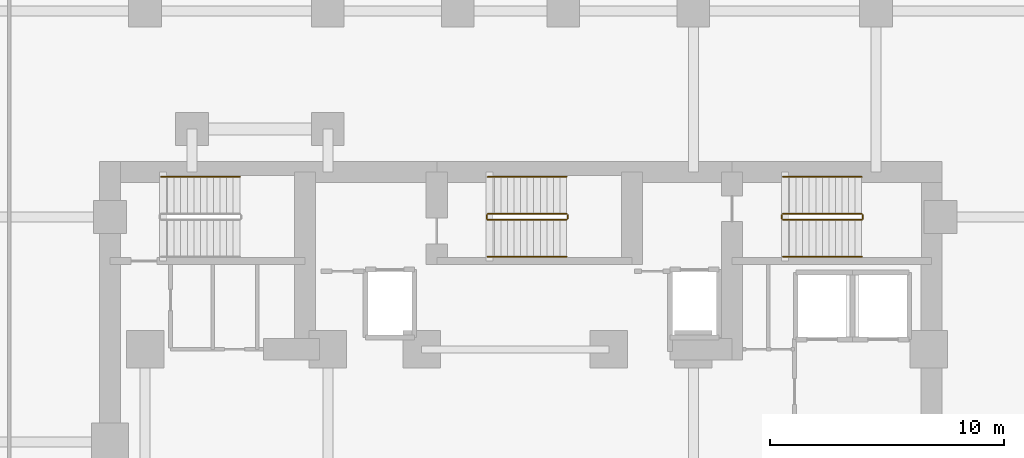
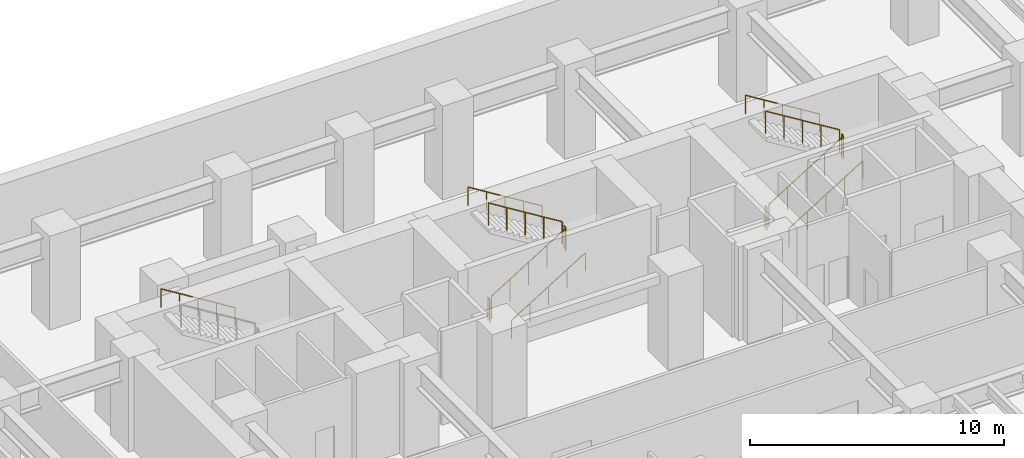
# One storey, part 9 of 9: 13 railings.
"""IFC4 building model written with IfcOpenShell, lengths in metres."""

from ifc_helpers import new_model, si_unit, direction, frame, origin, origin_2d, place, context, subcontext, project, spatial, circle, extrude, material, type_object, element, save


model = new_model("IFC4")

# Units and contexts
model_context = context("Model", 3, precision=1e-05, world=origin(), true_north=direction((0.0, 1.0)))
body_context = subcontext(model_context, "Body", "Model", "MODEL_VIEW")
ifc_project = project(units=[si_unit("LENGTHUNIT", "METRE"), si_unit("AREAUNIT", "SQUARE_METRE"), si_unit("VOLUMEUNIT", "CUBIC_METRE"), si_unit("PLANEANGLEUNIT", "RADIAN"), si_unit("MASSUNIT", "GRAM", prefix="KILO")], contexts=[model_context])

# Site, building, storey
site_placement = place(None, origin())
site = spatial("IfcSite", under=ifc_project, at=site_placement, CompositionType="ELEMENT")
building_placement = place(site_placement, origin())
building = spatial("IfcBuilding", under=site, at=building_placement, Name="Kestravale Grand Hotel", CompositionType="ELEMENT")
storey_placement = place(building_placement, frame((0.0, 0.0, -4.5)))
storey = spatial("IfcBuildingStorey", under=building, at=storey_placement, Name="B1", CompositionType="ELEMENT", Elevation=-4.5)

# Railings
ifc_material_1 = material(Name="Painted tubular steel stair well guard", Category="steel")
railing_type_1 = type_object("IfcRailingType", Name="RL-ST-GRD1100", PredefinedType="GUARDRAIL", material=ifc_material_1)
railing_1_placement = place(storey_placement, frame((38.030029296875, 38.280029296875, 0.173095703125)))
element("IfcRailing", 1, at=railing_1_placement, inside=storey, type_object=railing_type_1, Name="B1 ST-2 stair guard 1", PredefinedType="GUARDRAIL", context=body_context, shape_type="SweptSolid", body=[
    extrude(circle(Radius=0.02392578125, at=origin_2d()), frame((0.0, 0.0, 1.076171875), z_axis=(0.850606129759, 0.0, 0.525803396734), x_axis=(0.0, 1.0, 0.0)), (0.0, 0.0, 1.0), 3.949951171875),
    extrude(circle(Radius=0.02099609375, at=origin_2d()), origin(), (0.0, 0.0, 1.0), 1.052001953125),
    extrude(circle(Radius=0.02099609375, at=origin_2d()), frame((0.83984375, 0.0, 0.519287109375)), (0.0, 0.0, 1.0), 1.052001953125),
    extrude(circle(Radius=0.02099609375, at=origin_2d()), frame((1.679931640625, 0.0, 1.03857421875)), (0.0, 0.0, 1.0), 1.052001953125),
    extrude(circle(Radius=0.02099609375, at=origin_2d()), frame((2.52001953125, 0.0, 1.5576171875)), (0.0, 0.0, 1.0), 1.052001953125),
    extrude(circle(Radius=0.02099609375, at=origin_2d()), frame((3.35986328125, 0.0, 2.076904296875)), (0.0, 0.0, 1.0), 1.052001953125),
])
railing_2_placement = place(storey_placement, frame((41.43994140625, 38.330078125, 2.25)))
element("IfcRailing", 2, at=railing_2_placement, inside=storey, type_object=railing_type_1, Name="B1 ST-2 stair guard 2", PredefinedType="GUARDRAIL", context=body_context, shape_type="SweptSolid", body=[
    extrude(circle(Radius=0.02392578125, at=origin_2d()), frame((0.0, 0.0, 1.076171875), z_axis=(0.0, 1.0, 0.0), x_axis=(-1.0, 0.0, 0.0)), (0.0, 0.0, 1.0), 0.14990234375),
    extrude(circle(Radius=0.02099609375, at=origin_2d()), origin(), (0.0, 0.0, 1.0), 1.052001953125),
    extrude(circle(Radius=0.02099609375, at=origin_2d()), frame((0.0, 0.14990234375, 0.0)), (0.0, 0.0, 1.0), 1.052001953125),
])
railing_3_placement = place(storey_placement, frame((41.389892578125, 38.530029296875, 2.423095703125)))
element("IfcRailing", 3, at=railing_3_placement, inside=storey, type_object=railing_type_1, Name="B1 ST-2 stair guard 3", PredefinedType="GUARDRAIL", context=body_context, shape_type="SweptSolid", body=[
    extrude(circle(Radius=0.02392578125, at=origin_2d()), frame((0.0, 0.0, 1.076171875), z_axis=(-0.850606129759, 0.0, 0.525803396734), x_axis=(0.0, -1.0, 0.0)), (0.0, 0.0, 1.0), 3.949951171875),
    extrude(circle(Radius=0.02099609375, at=origin_2d()), origin(), (0.0, 0.0, 1.0), 1.052001953125),
    extrude(circle(Radius=0.02099609375, at=origin_2d()), frame((-0.83984375, 0.0, 0.519287109375)), (0.0, 0.0, 1.0), 1.052001953125),
    extrude(circle(Radius=0.02099609375, at=origin_2d()), frame((-1.679931640625, 0.0, 1.03857421875)), (0.0, 0.0, 1.0), 1.052001953125),
    extrude(circle(Radius=0.02099609375, at=origin_2d()), frame((-2.52001953125, 0.0, 1.5576171875)), (0.0, 0.0, 1.0), 1.052001953125),
    extrude(circle(Radius=0.02099609375, at=origin_2d()), frame((-3.35986328125, 0.0, 2.076904296875)), (0.0, 0.0, 1.0), 1.052001953125),
])
railing_4_placement = place(storey_placement, frame((37.97998046875, 38.330078125, 0.0)))
element("IfcRailing", 4, at=railing_4_placement, inside=storey, type_object=railing_type_1, Name="B1 ST-2 stair guard 4", PredefinedType="GUARDRAIL", context=body_context, shape_type="SweptSolid", body=[
    extrude(circle(Radius=0.02392578125, at=origin_2d()), frame((0.0, 0.0, 1.076171875), z_axis=(0.0, 1.0, 0.0), x_axis=(-1.0, 0.0, 0.0)), (0.0, 0.0, 1.0), 0.14990234375),
    extrude(circle(Radius=0.02099609375, at=origin_2d()), origin(), (0.0, 0.0, 1.0), 1.052001953125),
    extrude(circle(Radius=0.02099609375, at=origin_2d()), frame((0.0, 0.14990234375, 0.0)), (0.0, 0.0, 1.0), 1.052001953125),
])
railing_5_placement = place(storey_placement, frame((50.6298828125, 38.280029296875, 0.173095703125)))
element("IfcRailing", 5, at=railing_5_placement, inside=storey, type_object=railing_type_1, Name="B1 ST-3 stair guard 1", PredefinedType="GUARDRAIL", context=body_context, shape_type="SweptSolid", body=[
    extrude(circle(Radius=0.02392578125, at=origin_2d()), frame((0.0, 0.0, 1.076171875), z_axis=(0.850623216509, 0.0, 0.525775754039), x_axis=(0.0, 1.0, 0.0)), (0.0, 0.0, 1.0), 3.9501953125),
    extrude(circle(Radius=0.02099609375, at=origin_2d()), origin(), (0.0, 0.0, 1.0), 1.052001953125),
    extrude(circle(Radius=0.02099609375, at=origin_2d()), frame((0.840087890625, 0.0, 0.519287109375)), (0.0, 0.0, 1.0), 1.052001953125),
    extrude(circle(Radius=0.02099609375, at=origin_2d()), frame((1.68017578125, 0.0, 1.03857421875)), (0.0, 0.0, 1.0), 1.052001953125),
    extrude(circle(Radius=0.02099609375, at=origin_2d()), frame((2.52001953125, 0.0, 1.5576171875)), (0.0, 0.0, 1.0), 1.052001953125),
    extrude(circle(Radius=0.02099609375, at=origin_2d()), frame((3.360107421875, 0.0, 2.076904296875)), (0.0, 0.0, 1.0), 1.052001953125),
])
railing_6_placement = place(storey_placement, frame((54.0400390625, 38.330078125, 2.25)))
element("IfcRailing", 6, at=railing_6_placement, inside=storey, type_object=railing_type_1, Name="B1 ST-3 stair guard 2", PredefinedType="GUARDRAIL", context=body_context, shape_type="SweptSolid", body=[
    extrude(circle(Radius=0.02392578125, at=origin_2d()), frame((0.0, 0.0, 1.076171875), z_axis=(0.0, 1.0, 0.0), x_axis=(-1.0, 0.0, 0.0)), (0.0, 0.0, 1.0), 0.14990234375),
    extrude(circle(Radius=0.02099609375, at=origin_2d()), origin(), (0.0, 0.0, 1.0), 1.052001953125),
    extrude(circle(Radius=0.02099609375, at=origin_2d()), frame((0.0, 0.14990234375, 0.0)), (0.0, 0.0, 1.0), 1.052001953125),
])
railing_7_placement = place(storey_placement, frame((53.989990234375, 38.530029296875, 2.423095703125)))
element("IfcRailing", 7, at=railing_7_placement, inside=storey, type_object=railing_type_1, Name="B1 ST-3 stair guard 3", PredefinedType="GUARDRAIL", context=body_context, shape_type="SweptSolid", body=[
    extrude(circle(Radius=0.02392578125, at=origin_2d()), frame((0.0, 0.0, 1.076171875), z_axis=(-0.850623216509, 0.0, 0.525775754039), x_axis=(0.0, -1.0, 0.0)), (0.0, 0.0, 1.0), 3.9501953125),
    extrude(circle(Radius=0.02099609375, at=origin_2d()), origin(), (0.0, 0.0, 1.0), 1.052001953125),
    extrude(circle(Radius=0.02099609375, at=origin_2d()), frame((-0.840087890625, 0.0, 0.519287109375)), (0.0, 0.0, 1.0), 1.052001953125),
    extrude(circle(Radius=0.02099609375, at=origin_2d()), frame((-1.68017578125, 0.0, 1.03857421875)), (0.0, 0.0, 1.0), 1.052001953125),
    extrude(circle(Radius=0.02099609375, at=origin_2d()), frame((-2.52001953125, 0.0, 1.5576171875)), (0.0, 0.0, 1.0), 1.052001953125),
    extrude(circle(Radius=0.02099609375, at=origin_2d()), frame((-3.360107421875, 0.0, 2.076904296875)), (0.0, 0.0, 1.0), 1.052001953125),
])
railing_8_placement = place(storey_placement, frame((50.580078125, 38.330078125, 0.0)))
element("IfcRailing", 8, at=railing_8_placement, inside=storey, type_object=railing_type_1, Name="B1 ST-3 stair guard 4", PredefinedType="GUARDRAIL", context=body_context, shape_type="SweptSolid", body=[
    extrude(circle(Radius=0.02392578125, at=origin_2d()), frame((0.0, 0.0, 1.076171875), z_axis=(0.0, 1.0, 0.0), x_axis=(-1.0, 0.0, 0.0)), (0.0, 0.0, 1.0), 0.14990234375),
    extrude(circle(Radius=0.02099609375, at=origin_2d()), origin(), (0.0, 0.0, 1.0), 1.052001953125),
    extrude(circle(Radius=0.02099609375, at=origin_2d()), frame((0.0, 0.14990234375, 0.0)), (0.0, 0.0, 1.0), 1.052001953125),
])
ifc_material_2 = material(Name="Brushed stainless steel wall handrail", Category="steel")
railing_type_2 = type_object("IfcRailingType", Name="RL-ST-HND900", PredefinedType="HANDRAIL", material=ifc_material_2)
railing_9_placement = place(storey_placement, frame((27.43994140625, 40.110107421875, 2.423095703125)))
element("IfcRailing", 9, at=railing_9_placement, inside=storey, type_object=railing_type_2, Name="B1 ST-1 stair handrail 2", PredefinedType="HANDRAIL", context=body_context, shape_type="SweptSolid", body=[
    extrude(circle(Radius=0.02392578125, at=origin_2d()), frame((0.0, 0.0, 0.8759765625), z_axis=(-0.850606129759, 0.0, 0.525803396734), x_axis=(0.0, -1.0, 0.0)), (0.0, 0.0, 1.0), 3.949951171875),
    extrude(circle(Radius=0.02099609375, at=origin_2d()), origin(), (0.0, 0.0, 1.0), 0.851806640625),
    extrude(circle(Radius=0.02099609375, at=origin_2d()), frame((-0.83984375, 0.0, 0.519287109375)), (0.0, 0.0, 1.0), 0.851806640625),
    extrude(circle(Radius=0.02099609375, at=origin_2d()), frame((-1.679931640625, 0.0, 1.03857421875)), (0.0, 0.0, 1.0), 0.851806640625),
    extrude(circle(Radius=0.02099609375, at=origin_2d()), frame((-2.52001953125, 0.0, 1.5576171875)), (0.0, 0.0, 1.0), 0.851806640625),
    extrude(circle(Radius=0.02099609375, at=origin_2d()), frame((-3.35986328125, 0.0, 2.076904296875)), (0.0, 0.0, 1.0), 0.851806640625),
])
railing_10_placement = place(storey_placement, frame((38.030029296875, 36.699951171875, 0.173095703125)))
element("IfcRailing", 10, at=railing_10_placement, inside=storey, type_object=railing_type_2, Name="B1 ST-2 stair handrail 1", PredefinedType="HANDRAIL", context=body_context, shape_type="SweptSolid", body=[
    extrude(circle(Radius=0.02392578125, at=origin_2d()), frame((0.0, 0.0, 0.8759765625), z_axis=(0.850606129759, 0.0, 0.525803396734), x_axis=(0.0, 1.0, 0.0)), (0.0, 0.0, 1.0), 3.949951171875),
    extrude(circle(Radius=0.02099609375, at=origin_2d()), origin(), (0.0, 0.0, 1.0), 0.851806640625),
    extrude(circle(Radius=0.02099609375, at=origin_2d()), frame((0.83984375, 0.0, 0.519287109375)), (0.0, 0.0, 1.0), 0.851806640625),
    extrude(circle(Radius=0.02099609375, at=origin_2d()), frame((1.679931640625, 0.0, 1.03857421875)), (0.0, 0.0, 1.0), 0.851806640625),
    extrude(circle(Radius=0.02099609375, at=origin_2d()), frame((2.52001953125, 0.0, 1.5576171875)), (0.0, 0.0, 1.0), 0.851806640625),
    extrude(circle(Radius=0.02099609375, at=origin_2d()), frame((3.35986328125, 0.0, 2.076904296875)), (0.0, 0.0, 1.0), 0.851806640625),
])
railing_11_placement = place(storey_placement, frame((41.389892578125, 40.110107421875, 2.423095703125)))
element("IfcRailing", 11, at=railing_11_placement, inside=storey, type_object=railing_type_2, Name="B1 ST-2 stair handrail 2", PredefinedType="HANDRAIL", context=body_context, shape_type="SweptSolid", body=[
    extrude(circle(Radius=0.02392578125, at=origin_2d()), frame((0.0, 0.0, 0.8759765625), z_axis=(-0.850606129759, 0.0, 0.525803396734), x_axis=(0.0, -1.0, 0.0)), (0.0, 0.0, 1.0), 3.949951171875),
    extrude(circle(Radius=0.02099609375, at=origin_2d()), origin(), (0.0, 0.0, 1.0), 0.851806640625),
    extrude(circle(Radius=0.02099609375, at=origin_2d()), frame((-0.83984375, 0.0, 0.519287109375)), (0.0, 0.0, 1.0), 0.851806640625),
    extrude(circle(Radius=0.02099609375, at=origin_2d()), frame((-1.679931640625, 0.0, 1.03857421875)), (0.0, 0.0, 1.0), 0.851806640625),
    extrude(circle(Radius=0.02099609375, at=origin_2d()), frame((-2.52001953125, 0.0, 1.5576171875)), (0.0, 0.0, 1.0), 0.851806640625),
    extrude(circle(Radius=0.02099609375, at=origin_2d()), frame((-3.35986328125, 0.0, 2.076904296875)), (0.0, 0.0, 1.0), 0.851806640625),
])
railing_12_placement = place(storey_placement, frame((50.6298828125, 36.699951171875, 0.173095703125)))
element("IfcRailing", 12, at=railing_12_placement, inside=storey, type_object=railing_type_2, Name="B1 ST-3 stair handrail 1", PredefinedType="HANDRAIL", context=body_context, shape_type="SweptSolid", body=[
    extrude(circle(Radius=0.02392578125, at=origin_2d()), frame((0.0, 0.0, 0.8759765625), z_axis=(0.850623216509, 0.0, 0.525775754039), x_axis=(0.0, 1.0, 0.0)), (0.0, 0.0, 1.0), 3.9501953125),
    extrude(circle(Radius=0.02099609375, at=origin_2d()), origin(), (0.0, 0.0, 1.0), 0.851806640625),
    extrude(circle(Radius=0.02099609375, at=origin_2d()), frame((0.840087890625, 0.0, 0.519287109375)), (0.0, 0.0, 1.0), 0.851806640625),
    extrude(circle(Radius=0.02099609375, at=origin_2d()), frame((1.68017578125, 0.0, 1.03857421875)), (0.0, 0.0, 1.0), 0.851806640625),
    extrude(circle(Radius=0.02099609375, at=origin_2d()), frame((2.52001953125, 0.0, 1.5576171875)), (0.0, 0.0, 1.0), 0.851806640625),
    extrude(circle(Radius=0.02099609375, at=origin_2d()), frame((3.360107421875, 0.0, 2.076904296875)), (0.0, 0.0, 1.0), 0.851806640625),
])
railing_13_placement = place(storey_placement, frame((53.989990234375, 40.110107421875, 2.423095703125)))
element("IfcRailing", 13, at=railing_13_placement, inside=storey, type_object=railing_type_2, Name="B1 ST-3 stair handrail 2", PredefinedType="HANDRAIL", context=body_context, shape_type="SweptSolid", body=[
    extrude(circle(Radius=0.02392578125, at=origin_2d()), frame((0.0, 0.0, 0.8759765625), z_axis=(-0.850623216509, 0.0, 0.525775754039), x_axis=(0.0, -1.0, 0.0)), (0.0, 0.0, 1.0), 3.9501953125),
    extrude(circle(Radius=0.02099609375, at=origin_2d()), origin(), (0.0, 0.0, 1.0), 0.851806640625),
    extrude(circle(Radius=0.02099609375, at=origin_2d()), frame((-0.840087890625, 0.0, 0.519287109375)), (0.0, 0.0, 1.0), 0.851806640625),
    extrude(circle(Radius=0.02099609375, at=origin_2d()), frame((-1.68017578125, 0.0, 1.03857421875)), (0.0, 0.0, 1.0), 0.851806640625),
    extrude(circle(Radius=0.02099609375, at=origin_2d()), frame((-2.52001953125, 0.0, 1.5576171875)), (0.0, 0.0, 1.0), 0.851806640625),
    extrude(circle(Radius=0.02099609375, at=origin_2d()), frame((-3.360107421875, 0.0, 2.076904296875)), (0.0, 0.0, 1.0), 0.851806640625),
])

save(model, "model.ifc")
